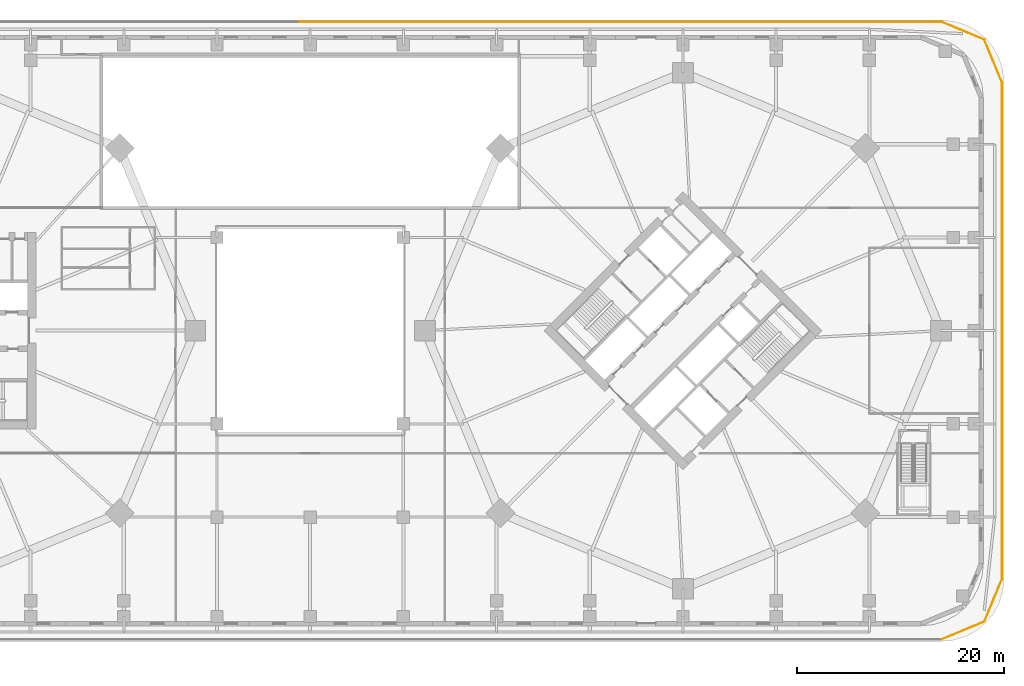
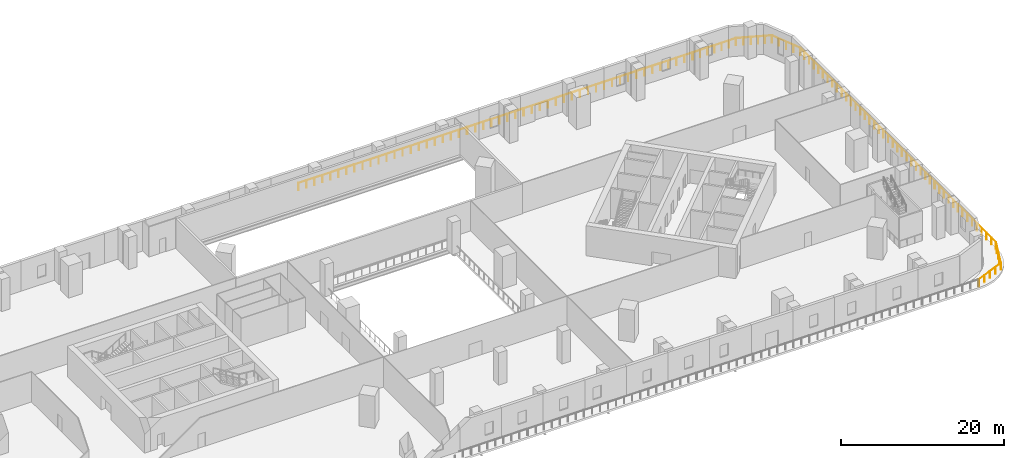
# One storey, part 17 of 17: 16 railings.
"""IFC4 building model written with IfcOpenShell, lengths in metres."""

from ifc_helpers import new_model, si_unit, direction, frame, origin, origin_2d, place, context, subcontext, project, spatial, circle, extrude, material, type_object, element, save


model = new_model("IFC4")

# Units and contexts
model_context = context("Model", 3, precision=1e-05, world=origin(), true_north=direction((0.0, 1.0)))
body_context = subcontext(model_context, "Body", "Model", "MODEL_VIEW")
ifc_project = project(units=[si_unit("LENGTHUNIT", "METRE"), si_unit("AREAUNIT", "SQUARE_METRE"), si_unit("VOLUMEUNIT", "CUBIC_METRE"), si_unit("PLANEANGLEUNIT", "RADIAN"), si_unit("MASSUNIT", "GRAM", prefix="KILO")], contexts=[model_context])

# Site, building, storey
site_placement = place(None, origin())
site = spatial("IfcSite", under=ifc_project, at=site_placement, CompositionType="ELEMENT")
building_placement = place(site_placement, origin())
building = spatial("IfcBuilding", under=site, at=building_placement, Name="Ogive Gate Towers", CompositionType="ELEMENT")
storey_placement = place(building_placement, frame((0.0, 0.0, 18.0)))
storey = spatial("IfcBuildingStorey", under=building, at=storey_placement, Name="L03", CompositionType="ELEMENT", Elevation=18.0)

# Railings
ifc_material = material(Name="Stainless steel", Category="steel")
railing_type = type_object("IfcRailingType", Name="Guard 1100", PredefinedType="GUARDRAIL", material=ifc_material)
railing_1_placement = place(storey_placement, frame((61.0, -29.800048828125, 0.0)))
element("IfcRailing", 1, at=railing_1_placement, inside=storey, type_object=railing_type, Name="Terrace guard", PredefinedType="GUARDRAIL", context=body_context, shape_type="SweptSolid", body=[
    extrude(circle(Radius=0.02392578125, at=origin_2d()), frame((0.0, 0.0, 1.076171875), z_axis=(0.923886797369, 0.382665892976, 0.0), x_axis=(-0.382665892976, 0.923886797369, 0.0)), (0.0, 0.0, 1.0), 4.439208984375),
    extrude(circle(Radius=0.02392578125, at=origin_2d()), frame((4.101318359375, 1.69873046875, 1.076171875), z_axis=(0.382678249708, 0.923881679221, 0.0), x_axis=(-0.923881679221, 0.382678249708, 0.0)), (0.0, 0.0, 1.0), 3.50048828125),
    extrude(circle(Radius=0.02099609375, at=origin_2d()), origin(), (0.0, 0.0, 1.0), 1.052001953125),
    extrude(circle(Radius=0.02099609375, at=origin_2d()), frame((1.025390625, 0.4248046875, 0.0)), (0.0, 0.0, 1.0), 1.052001953125),
    extrude(circle(Radius=0.02099609375, at=origin_2d()), frame((2.05078125, 0.849365234375, 0.0)), (0.0, 0.0, 1.0), 1.052001953125),
    extrude(circle(Radius=0.02099609375, at=origin_2d()), frame((3.075927734375, 1.27392578125, 0.0)), (0.0, 0.0, 1.0), 1.052001953125),
    extrude(circle(Radius=0.02099609375, at=origin_2d()), frame((4.101318359375, 1.69873046875, 0.0)), (0.0, 0.0, 1.0), 1.052001953125),
    extrude(circle(Radius=0.02099609375, at=origin_2d()), frame((4.5478515625, 2.77685546875, 0.0)), (0.0, 0.0, 1.0), 1.052001953125),
    extrude(circle(Radius=0.02099609375, at=origin_2d()), frame((4.994384765625, 3.854736328125, 0.0)), (0.0, 0.0, 1.0), 1.052001953125),
    extrude(circle(Radius=0.02099609375, at=origin_2d()), frame((5.44091796875, 4.932861328125, 0.0)), (0.0, 0.0, 1.0), 1.052001953125),
])
railing_2_placement = place(storey_placement, frame((66.4599609375, -24.821044921875, 0.0)))
element("IfcRailing", 2, at=railing_2_placement, inside=storey, type_object=railing_type, Name="Terrace guard", PredefinedType="GUARDRAIL", context=body_context, shape_type="SweptSolid", body=[
    extrude(circle(Radius=0.02392578125, at=origin_2d()), frame((0.0, 0.0, 1.076171875), z_axis=(0.382683383062, 0.923879552933, 0.0), x_axis=(-0.923879552933, 0.382683383062, 0.0)), (0.0, 0.0, 1.0), 0.888671875),
    extrude(circle(Radius=0.02392578125, at=origin_2d()), frame((0.340087890625, 0.821044921875, 1.076171875), z_axis=(0.0, 1.0, 0.0), x_axis=(-1.0, 0.0, 0.0)), (0.0, 0.0, 1.0), 7.051025390625),
    extrude(circle(Radius=0.02099609375, at=origin_2d()), origin(), (0.0, 0.0, 1.0), 1.052001953125),
    extrude(circle(Radius=0.02099609375, at=origin_2d()), frame((0.340087890625, 0.821044921875, 0.0)), (0.0, 0.0, 1.0), 1.052001953125),
    extrude(circle(Radius=0.02099609375, at=origin_2d()), frame((0.340087890625, 1.99609375, 0.0)), (0.0, 0.0, 1.0), 1.052001953125),
    extrude(circle(Radius=0.02099609375, at=origin_2d()), frame((0.340087890625, 3.17138671875, 0.0)), (0.0, 0.0, 1.0), 1.052001953125),
    extrude(circle(Radius=0.02099609375, at=origin_2d()), frame((0.340087890625, 4.3466796875, 0.0)), (0.0, 0.0, 1.0), 1.052001953125),
    extrude(circle(Radius=0.02099609375, at=origin_2d()), frame((0.340087890625, 5.521728515625, 0.0)), (0.0, 0.0, 1.0), 1.052001953125),
    extrude(circle(Radius=0.02099609375, at=origin_2d()), frame((0.340087890625, 6.69677734375, 0.0)), (0.0, 0.0, 1.0), 1.052001953125),
    extrude(circle(Radius=0.02099609375, at=origin_2d()), frame((0.340087890625, 7.8720703125, 0.0)), (0.0, 0.0, 1.0), 1.052001953125),
])
railing_3_placement = place(storey_placement, frame((66.800048828125, -16.89892578125, 0.0)))
element("IfcRailing", 3, at=railing_3_placement, inside=storey, type_object=railing_type, Name="Terrace guard", PredefinedType="GUARDRAIL", context=body_context, shape_type="SweptSolid", body=[
    extrude(circle(Radius=0.02392578125, at=origin_2d()), frame((0.0, 0.0, 1.076171875), z_axis=(0.0, 1.0, 0.0), x_axis=(-1.0, 0.0, 0.0)), (0.0, 0.0, 1.0), 7.939697265625),
    extrude(circle(Radius=0.02099609375, at=origin_2d()), origin(), (0.0, 0.0, 1.0), 1.052001953125),
    extrude(circle(Radius=0.02099609375, at=origin_2d()), frame((0.0, 1.13427734375, 0.0)), (0.0, 0.0, 1.0), 1.052001953125),
    extrude(circle(Radius=0.02099609375, at=origin_2d()), frame((0.0, 2.2685546875, 0.0)), (0.0, 0.0, 1.0), 1.052001953125),
    extrude(circle(Radius=0.02099609375, at=origin_2d()), frame((0.0, 3.40283203125, 0.0)), (0.0, 0.0, 1.0), 1.052001953125),
    extrude(circle(Radius=0.02099609375, at=origin_2d()), frame((0.0, 4.536865234375, 0.0)), (0.0, 0.0, 1.0), 1.052001953125),
    extrude(circle(Radius=0.02099609375, at=origin_2d()), frame((0.0, 5.671142578125, 0.0)), (0.0, 0.0, 1.0), 1.052001953125),
    extrude(circle(Radius=0.02099609375, at=origin_2d()), frame((0.0, 6.805419921875, 0.0)), (0.0, 0.0, 1.0), 1.052001953125),
    extrude(circle(Radius=0.02099609375, at=origin_2d()), frame((0.0, 7.939697265625, 0.0)), (0.0, 0.0, 1.0), 1.052001953125),
])
railing_4_placement = place(storey_placement, frame((66.800048828125, -8.9091796875, 0.0)))
element("IfcRailing", 4, at=railing_4_placement, inside=storey, type_object=railing_type, Name="Terrace guard", PredefinedType="GUARDRAIL", context=body_context, shape_type="SweptSolid", body=[
    extrude(circle(Radius=0.02392578125, at=origin_2d()), frame((0.0, 0.0, 1.076171875), z_axis=(0.0, 1.0, 0.0), x_axis=(-1.0, 0.0, 0.0)), (0.0, 0.0, 1.0), 7.939453125),
    extrude(circle(Radius=0.02099609375, at=origin_2d()), origin(), (0.0, 0.0, 1.0), 1.052001953125),
    extrude(circle(Radius=0.02099609375, at=origin_2d()), frame((0.0, 1.13427734375, 0.0)), (0.0, 0.0, 1.0), 1.052001953125),
    extrude(circle(Radius=0.02099609375, at=origin_2d()), frame((0.0, 2.268310546875, 0.0)), (0.0, 0.0, 1.0), 1.052001953125),
    extrude(circle(Radius=0.02099609375, at=origin_2d()), frame((0.0, 3.402587890625, 0.0)), (0.0, 0.0, 1.0), 1.052001953125),
    extrude(circle(Radius=0.02099609375, at=origin_2d()), frame((0.0, 4.536865234375, 0.0)), (0.0, 0.0, 1.0), 1.052001953125),
    extrude(circle(Radius=0.02099609375, at=origin_2d()), frame((0.0, 5.671142578125, 0.0)), (0.0, 0.0, 1.0), 1.052001953125),
    extrude(circle(Radius=0.02099609375, at=origin_2d()), frame((0.0, 6.80517578125, 0.0)), (0.0, 0.0, 1.0), 1.052001953125),
    extrude(circle(Radius=0.02099609375, at=origin_2d()), frame((0.0, 7.939453125, 0.0)), (0.0, 0.0, 1.0), 1.052001953125),
])
railing_5_placement = place(storey_placement, frame((66.800048828125, -0.919677734375, 0.0)))
element("IfcRailing", 5, at=railing_5_placement, inside=storey, type_object=railing_type, Name="Terrace guard", PredefinedType="GUARDRAIL", context=body_context, shape_type="SweptSolid", body=[
    extrude(circle(Radius=0.02392578125, at=origin_2d()), frame((0.0, 0.0, 1.076171875), z_axis=(0.0, 1.0, 0.0), x_axis=(-1.0, 0.0, 0.0)), (0.0, 0.0, 1.0), 7.939697265625),
    extrude(circle(Radius=0.02099609375, at=origin_2d()), origin(), (0.0, 0.0, 1.0), 1.052001953125),
    extrude(circle(Radius=0.02099609375, at=origin_2d()), frame((0.0, 1.13427734375, 0.0)), (0.0, 0.0, 1.0), 1.052001953125),
    extrude(circle(Radius=0.02099609375, at=origin_2d()), frame((0.0, 2.2685546875, 0.0)), (0.0, 0.0, 1.0), 1.052001953125),
    extrude(circle(Radius=0.02099609375, at=origin_2d()), frame((0.0, 3.40283203125, 0.0)), (0.0, 0.0, 1.0), 1.052001953125),
    extrude(circle(Radius=0.02099609375, at=origin_2d()), frame((0.0, 4.536865234375, 0.0)), (0.0, 0.0, 1.0), 1.052001953125),
    extrude(circle(Radius=0.02099609375, at=origin_2d()), frame((0.0, 5.671142578125, 0.0)), (0.0, 0.0, 1.0), 1.052001953125),
    extrude(circle(Radius=0.02099609375, at=origin_2d()), frame((0.0, 6.805419921875, 0.0)), (0.0, 0.0, 1.0), 1.052001953125),
    extrude(circle(Radius=0.02099609375, at=origin_2d()), frame((0.0, 7.939697265625, 0.0)), (0.0, 0.0, 1.0), 1.052001953125),
])
railing_6_placement = place(storey_placement, frame((66.800048828125, 7.070068359375, 0.0)))
element("IfcRailing", 6, at=railing_6_placement, inside=storey, type_object=railing_type, Name="Terrace guard", PredefinedType="GUARDRAIL", context=body_context, shape_type="SweptSolid", body=[
    extrude(circle(Radius=0.02392578125, at=origin_2d()), frame((0.0, 0.0, 1.076171875), z_axis=(0.0, 1.0, 0.0), x_axis=(-1.0, 0.0, 0.0)), (0.0, 0.0, 1.0), 7.939453125),
    extrude(circle(Radius=0.02099609375, at=origin_2d()), origin(), (0.0, 0.0, 1.0), 1.052001953125),
    extrude(circle(Radius=0.02099609375, at=origin_2d()), frame((0.0, 1.13427734375, 0.0)), (0.0, 0.0, 1.0), 1.052001953125),
    extrude(circle(Radius=0.02099609375, at=origin_2d()), frame((0.0, 2.268310546875, 0.0)), (0.0, 0.0, 1.0), 1.052001953125),
    extrude(circle(Radius=0.02099609375, at=origin_2d()), frame((0.0, 3.402587890625, 0.0)), (0.0, 0.0, 1.0), 1.052001953125),
    extrude(circle(Radius=0.02099609375, at=origin_2d()), frame((0.0, 4.536865234375, 0.0)), (0.0, 0.0, 1.0), 1.052001953125),
    extrude(circle(Radius=0.02099609375, at=origin_2d()), frame((0.0, 5.671142578125, 0.0)), (0.0, 0.0, 1.0), 1.052001953125),
    extrude(circle(Radius=0.02099609375, at=origin_2d()), frame((0.0, 6.80517578125, 0.0)), (0.0, 0.0, 1.0), 1.052001953125),
    extrude(circle(Radius=0.02099609375, at=origin_2d()), frame((0.0, 7.939453125, 0.0)), (0.0, 0.0, 1.0), 1.052001953125),
])
railing_7_placement = place(storey_placement, frame((66.800048828125, 15.0595703125, 0.0)))
element("IfcRailing", 7, at=railing_7_placement, inside=storey, type_object=railing_type, Name="Terrace guard", PredefinedType="GUARDRAIL", context=body_context, shape_type="SweptSolid", body=[
    extrude(circle(Radius=0.02392578125, at=origin_2d()), frame((0.0, 0.0, 1.076171875), z_axis=(0.0, 1.0, 0.0), x_axis=(-1.0, 0.0, 0.0)), (0.0, 0.0, 1.0), 7.939697265625),
    extrude(circle(Radius=0.02099609375, at=origin_2d()), origin(), (0.0, 0.0, 1.0), 1.052001953125),
    extrude(circle(Radius=0.02099609375, at=origin_2d()), frame((0.0, 1.13427734375, 0.0)), (0.0, 0.0, 1.0), 1.052001953125),
    extrude(circle(Radius=0.02099609375, at=origin_2d()), frame((0.0, 2.2685546875, 0.0)), (0.0, 0.0, 1.0), 1.052001953125),
    extrude(circle(Radius=0.02099609375, at=origin_2d()), frame((0.0, 3.40283203125, 0.0)), (0.0, 0.0, 1.0), 1.052001953125),
    extrude(circle(Radius=0.02099609375, at=origin_2d()), frame((0.0, 4.536865234375, 0.0)), (0.0, 0.0, 1.0), 1.052001953125),
    extrude(circle(Radius=0.02099609375, at=origin_2d()), frame((0.0, 5.671142578125, 0.0)), (0.0, 0.0, 1.0), 1.052001953125),
    extrude(circle(Radius=0.02099609375, at=origin_2d()), frame((0.0, 6.805419921875, 0.0)), (0.0, 0.0, 1.0), 1.052001953125),
    extrude(circle(Radius=0.02099609375, at=origin_2d()), frame((0.0, 7.939697265625, 0.0)), (0.0, 0.0, 1.0), 1.052001953125),
])
railing_8_placement = place(storey_placement, frame((66.800048828125, 23.04931640625, 0.0)))
element("IfcRailing", 8, at=railing_8_placement, inside=storey, type_object=railing_type, Name="Terrace guard", PredefinedType="GUARDRAIL", context=body_context, shape_type="SweptSolid", body=[
    extrude(circle(Radius=0.02392578125, at=origin_2d()), frame((0.0, 0.0, 1.076171875), z_axis=(0.0, 1.0, 0.0), x_axis=(-1.0, 0.0, 0.0)), (0.0, 0.0, 1.0), 0.95068359375),
    extrude(circle(Radius=0.02392578125, at=origin_2d()), frame((0.0, 0.95068359375, 1.076171875), z_axis=(-0.382665892976, 0.923886797369, 0.0), x_axis=(-0.923886797369, -0.382665892976, 0.0)), (0.0, 0.0, 1.0), 4.439208984375),
    extrude(circle(Radius=0.02392578125, at=origin_2d()), frame((-1.69873046875, 5.052001953125, 1.076171875), z_axis=(-0.923904807451, 0.382622407563, 0.0), x_axis=(-0.382622407563, -0.923904807451, 0.0)), (0.0, 0.0, 1.0), 2.5498046875),
    extrude(circle(Radius=0.02099609375, at=origin_2d()), origin(), (0.0, 0.0, 1.0), 1.052001953125),
    extrude(circle(Radius=0.02099609375, at=origin_2d()), frame((0.0, 0.95068359375, 0.0)), (0.0, 0.0, 1.0), 1.052001953125),
    extrude(circle(Radius=0.02099609375, at=origin_2d()), frame((-0.4248046875, 1.97607421875, 0.0)), (0.0, 0.0, 1.0), 1.052001953125),
    extrude(circle(Radius=0.02099609375, at=origin_2d()), frame((-0.849365234375, 3.00146484375, 0.0)), (0.0, 0.0, 1.0), 1.052001953125),
    extrude(circle(Radius=0.02099609375, at=origin_2d()), frame((-1.27392578125, 4.026611328125, 0.0)), (0.0, 0.0, 1.0), 1.052001953125),
    extrude(circle(Radius=0.02099609375, at=origin_2d()), frame((-1.69873046875, 5.052001953125, 0.0)), (0.0, 0.0, 1.0), 1.052001953125),
    extrude(circle(Radius=0.02099609375, at=origin_2d()), frame((-2.48388671875, 5.377197265625, 0.0)), (0.0, 0.0, 1.0), 1.052001953125),
    extrude(circle(Radius=0.02099609375, at=origin_2d()), frame((-3.269287109375, 5.702392578125, 0.0)), (0.0, 0.0, 1.0), 1.052001953125),
    extrude(circle(Radius=0.02099609375, at=origin_2d()), frame((-4.054443359375, 6.027587890625, 0.0)), (0.0, 0.0, 1.0), 1.052001953125),
])
railing_9_placement = place(storey_placement, frame((62.699462890625, 29.09619140625, 0.0)))
element("IfcRailing", 9, at=railing_9_placement, inside=storey, type_object=railing_type, Name="Terrace guard", PredefinedType="GUARDRAIL", context=body_context, shape_type="SweptSolid", body=[
    extrude(circle(Radius=0.02392578125, at=origin_2d()), frame((0.0, 0.0, 1.076171875), z_axis=(-0.923895514793, 0.382644845446, 0.0), x_axis=(-0.382644845446, -0.923895514793, 0.0)), (0.0, 0.0, 1.0), 1.83935546875),
    extrude(circle(Radius=0.02392578125, at=origin_2d()), frame((-1.699462890625, 0.703857421875, 1.076171875), z_axis=(-1.0, 0.0, 0.0), x_axis=(0.0, -1.0, 0.0)), (0.0, 0.0, 1.0), 6.100341796875),
    extrude(circle(Radius=0.02099609375, at=origin_2d()), origin(), (0.0, 0.0, 1.0), 1.052001953125),
    extrude(circle(Radius=0.02099609375, at=origin_2d()), frame((-0.849609375, 0.35205078125, 0.0)), (0.0, 0.0, 1.0), 1.052001953125),
    extrude(circle(Radius=0.02099609375, at=origin_2d()), frame((-1.699462890625, 0.703857421875, 0.0)), (0.0, 0.0, 1.0), 1.052001953125),
    extrude(circle(Radius=0.02099609375, at=origin_2d()), frame((-2.71630859375, 0.703857421875, 0.0)), (0.0, 0.0, 1.0), 1.052001953125),
    extrude(circle(Radius=0.02099609375, at=origin_2d()), frame((-3.73291015625, 0.703857421875, 0.0)), (0.0, 0.0, 1.0), 1.052001953125),
    extrude(circle(Radius=0.02099609375, at=origin_2d()), frame((-4.74951171875, 0.703857421875, 0.0)), (0.0, 0.0, 1.0), 1.052001953125),
    extrude(circle(Radius=0.02099609375, at=origin_2d()), frame((-5.766357421875, 0.703857421875, 0.0)), (0.0, 0.0, 1.0), 1.052001953125),
    extrude(circle(Radius=0.02099609375, at=origin_2d()), frame((-6.783203125, 0.703857421875, 0.0)), (0.0, 0.0, 1.0), 1.052001953125),
    extrude(circle(Radius=0.02099609375, at=origin_2d()), frame((-7.7998046875, 0.703857421875, 0.0)), (0.0, 0.0, 1.0), 1.052001953125),
])
railing_10_placement = place(storey_placement, frame((54.849609375, 29.800048828125, 0.0)))
element("IfcRailing", 10, at=railing_10_placement, inside=storey, type_object=railing_type, Name="Terrace guard", PredefinedType="GUARDRAIL", context=body_context, shape_type="SweptSolid", body=[
    extrude(circle(Radius=0.02392578125, at=origin_2d()), frame((0.0, 0.0, 1.076171875), z_axis=(-1.0, 0.0, 0.0), x_axis=(0.0, -1.0, 0.0)), (0.0, 0.0, 1.0), 7.939453125),
    extrude(circle(Radius=0.02099609375, at=origin_2d()), origin(), (0.0, 0.0, 1.0), 1.052001953125),
    extrude(circle(Radius=0.02099609375, at=origin_2d()), frame((-1.13427734375, 0.0, 0.0)), (0.0, 0.0, 1.0), 1.052001953125),
    extrude(circle(Radius=0.02099609375, at=origin_2d()), frame((-2.268310546875, 0.0, 0.0)), (0.0, 0.0, 1.0), 1.052001953125),
    extrude(circle(Radius=0.02099609375, at=origin_2d()), frame((-3.402587890625, 0.0, 0.0)), (0.0, 0.0, 1.0), 1.052001953125),
    extrude(circle(Radius=0.02099609375, at=origin_2d()), frame((-4.536865234375, 0.0, 0.0)), (0.0, 0.0, 1.0), 1.052001953125),
    extrude(circle(Radius=0.02099609375, at=origin_2d()), frame((-5.671142578125, 0.0, 0.0)), (0.0, 0.0, 1.0), 1.052001953125),
    extrude(circle(Radius=0.02099609375, at=origin_2d()), frame((-6.80517578125, 0.0, 0.0)), (0.0, 0.0, 1.0), 1.052001953125),
    extrude(circle(Radius=0.02099609375, at=origin_2d()), frame((-7.939453125, 0.0, 0.0)), (0.0, 0.0, 1.0), 1.052001953125),
])
for number, where, name in (
    (11, (46.860107421875, 29.800048828125, 0.0), "Terrace guard"),
    (12, (38.87060546875, 29.800048828125, 0.0), "Terrace guard"),
    (13, (30.880859375, 29.800048828125, 0.0), "Terrace guard"),
):
    element("IfcRailing", number, at=place(storey_placement, frame(where)), inside=storey, type_object=railing_type, Name=name, PredefinedType="GUARDRAIL", context=body_context, shape_type="SweptSolid", body=[
        extrude(circle(Radius=0.02392578125, at=origin_2d()), frame((0.0, 0.0, 1.076171875), z_axis=(-1.0, 0.0, 0.0), x_axis=(0.0, -1.0, 0.0)), (0.0, 0.0, 1.0), 7.939697265625),
        extrude(circle(Radius=0.02099609375, at=origin_2d()), origin(), (0.0, 0.0, 1.0), 1.052001953125),
        extrude(circle(Radius=0.02099609375, at=origin_2d()), frame((-1.13427734375, 0.0, 0.0)), (0.0, 0.0, 1.0), 1.052001953125),
        extrude(circle(Radius=0.02099609375, at=origin_2d()), frame((-2.2685546875, 0.0, 0.0)), (0.0, 0.0, 1.0), 1.052001953125),
        extrude(circle(Radius=0.02099609375, at=origin_2d()), frame((-3.40283203125, 0.0, 0.0)), (0.0, 0.0, 1.0), 1.052001953125),
        extrude(circle(Radius=0.02099609375, at=origin_2d()), frame((-4.536865234375, 0.0, 0.0)), (0.0, 0.0, 1.0), 1.052001953125),
        extrude(circle(Radius=0.02099609375, at=origin_2d()), frame((-5.671142578125, 0.0, 0.0)), (0.0, 0.0, 1.0), 1.052001953125),
        extrude(circle(Radius=0.02099609375, at=origin_2d()), frame((-6.805419921875, 0.0, 0.0)), (0.0, 0.0, 1.0), 1.052001953125),
        extrude(circle(Radius=0.02099609375, at=origin_2d()), frame((-7.939697265625, 0.0, 0.0)), (0.0, 0.0, 1.0), 1.052001953125),
    ])
railing_11_placement = place(storey_placement, frame((22.89111328125, 29.800048828125, 0.0)))
element("IfcRailing", 14, at=railing_11_placement, inside=storey, type_object=railing_type, Name="Terrace guard", PredefinedType="GUARDRAIL", context=body_context, shape_type="SweptSolid", body=[
    extrude(circle(Radius=0.02392578125, at=origin_2d()), frame((0.0, 0.0, 1.076171875), z_axis=(-1.0, 0.0, 0.0), x_axis=(0.0, -1.0, 0.0)), (0.0, 0.0, 1.0), 7.939453125),
    extrude(circle(Radius=0.02099609375, at=origin_2d()), origin(), (0.0, 0.0, 1.0), 1.052001953125),
    extrude(circle(Radius=0.02099609375, at=origin_2d()), frame((-1.13427734375, 0.0, 0.0)), (0.0, 0.0, 1.0), 1.052001953125),
    extrude(circle(Radius=0.02099609375, at=origin_2d()), frame((-2.268310546875, 0.0, 0.0)), (0.0, 0.0, 1.0), 1.052001953125),
    extrude(circle(Radius=0.02099609375, at=origin_2d()), frame((-3.402587890625, 0.0, 0.0)), (0.0, 0.0, 1.0), 1.052001953125),
    extrude(circle(Radius=0.02099609375, at=origin_2d()), frame((-4.536865234375, 0.0, 0.0)), (0.0, 0.0, 1.0), 1.052001953125),
    extrude(circle(Radius=0.02099609375, at=origin_2d()), frame((-5.671142578125, 0.0, 0.0)), (0.0, 0.0, 1.0), 1.052001953125),
    extrude(circle(Radius=0.02099609375, at=origin_2d()), frame((-6.80517578125, 0.0, 0.0)), (0.0, 0.0, 1.0), 1.052001953125),
    extrude(circle(Radius=0.02099609375, at=origin_2d()), frame((-7.939453125, 0.0, 0.0)), (0.0, 0.0, 1.0), 1.052001953125),
])
railing_12_placement = place(storey_placement, frame((14.901611328125, 29.800048828125, 0.0)))
element("IfcRailing", 15, at=railing_12_placement, inside=storey, type_object=railing_type, Name="Terrace guard", PredefinedType="GUARDRAIL", context=body_context, shape_type="SweptSolid", body=[
    extrude(circle(Radius=0.02392578125, at=origin_2d()), frame((0.0, 0.0, 1.076171875), z_axis=(-1.0, 0.0, 0.0), x_axis=(0.0, -1.0, 0.0)), (0.0, 0.0, 1.0), 7.939697265625),
    extrude(circle(Radius=0.02099609375, at=origin_2d()), origin(), (0.0, 0.0, 1.0), 1.052001953125),
    extrude(circle(Radius=0.02099609375, at=origin_2d()), frame((-1.13427734375, 0.0, 0.0)), (0.0, 0.0, 1.0), 1.052001953125),
    extrude(circle(Radius=0.02099609375, at=origin_2d()), frame((-2.2685546875, 0.0, 0.0)), (0.0, 0.0, 1.0), 1.052001953125),
    extrude(circle(Radius=0.02099609375, at=origin_2d()), frame((-3.40283203125, 0.0, 0.0)), (0.0, 0.0, 1.0), 1.052001953125),
    extrude(circle(Radius=0.02099609375, at=origin_2d()), frame((-4.536865234375, 0.0, 0.0)), (0.0, 0.0, 1.0), 1.052001953125),
    extrude(circle(Radius=0.02099609375, at=origin_2d()), frame((-5.671142578125, 0.0, 0.0)), (0.0, 0.0, 1.0), 1.052001953125),
    extrude(circle(Radius=0.02099609375, at=origin_2d()), frame((-6.805419921875, 0.0, 0.0)), (0.0, 0.0, 1.0), 1.052001953125),
    extrude(circle(Radius=0.02099609375, at=origin_2d()), frame((-7.939697265625, 0.0, 0.0)), (0.0, 0.0, 1.0), 1.052001953125),
])
railing_13_placement = place(storey_placement, frame((6.911865234375, 29.800048828125, 0.0)))
element("IfcRailing", 16, at=railing_13_placement, inside=storey, type_object=railing_type, Name="Terrace guard", PredefinedType="GUARDRAIL", context=body_context, shape_type="SweptSolid", body=[
    extrude(circle(Radius=0.02392578125, at=origin_2d()), frame((0.0, 0.0, 1.076171875), z_axis=(-1.0, 0.0, 0.0), x_axis=(0.0, -1.0, 0.0)), (0.0, 0.0, 1.0), 7.939453125),
    extrude(circle(Radius=0.02099609375, at=origin_2d()), origin(), (0.0, 0.0, 1.0), 1.052001953125),
    extrude(circle(Radius=0.02099609375, at=origin_2d()), frame((-1.13427734375, 0.0, 0.0)), (0.0, 0.0, 1.0), 1.052001953125),
    extrude(circle(Radius=0.02099609375, at=origin_2d()), frame((-2.268310546875, 0.0, 0.0)), (0.0, 0.0, 1.0), 1.052001953125),
    extrude(circle(Radius=0.02099609375, at=origin_2d()), frame((-3.402587890625, 0.0, 0.0)), (0.0, 0.0, 1.0), 1.052001953125),
    extrude(circle(Radius=0.02099609375, at=origin_2d()), frame((-4.536865234375, 0.0, 0.0)), (0.0, 0.0, 1.0), 1.052001953125),
    extrude(circle(Radius=0.02099609375, at=origin_2d()), frame((-5.671142578125, 0.0, 0.0)), (0.0, 0.0, 1.0), 1.052001953125),
    extrude(circle(Radius=0.02099609375, at=origin_2d()), frame((-6.80517578125, 0.0, 0.0)), (0.0, 0.0, 1.0), 1.052001953125),
    extrude(circle(Radius=0.02099609375, at=origin_2d()), frame((-7.939453125, 0.0, 0.0)), (0.0, 0.0, 1.0), 1.052001953125),
])

save(model, "model.ifc")
